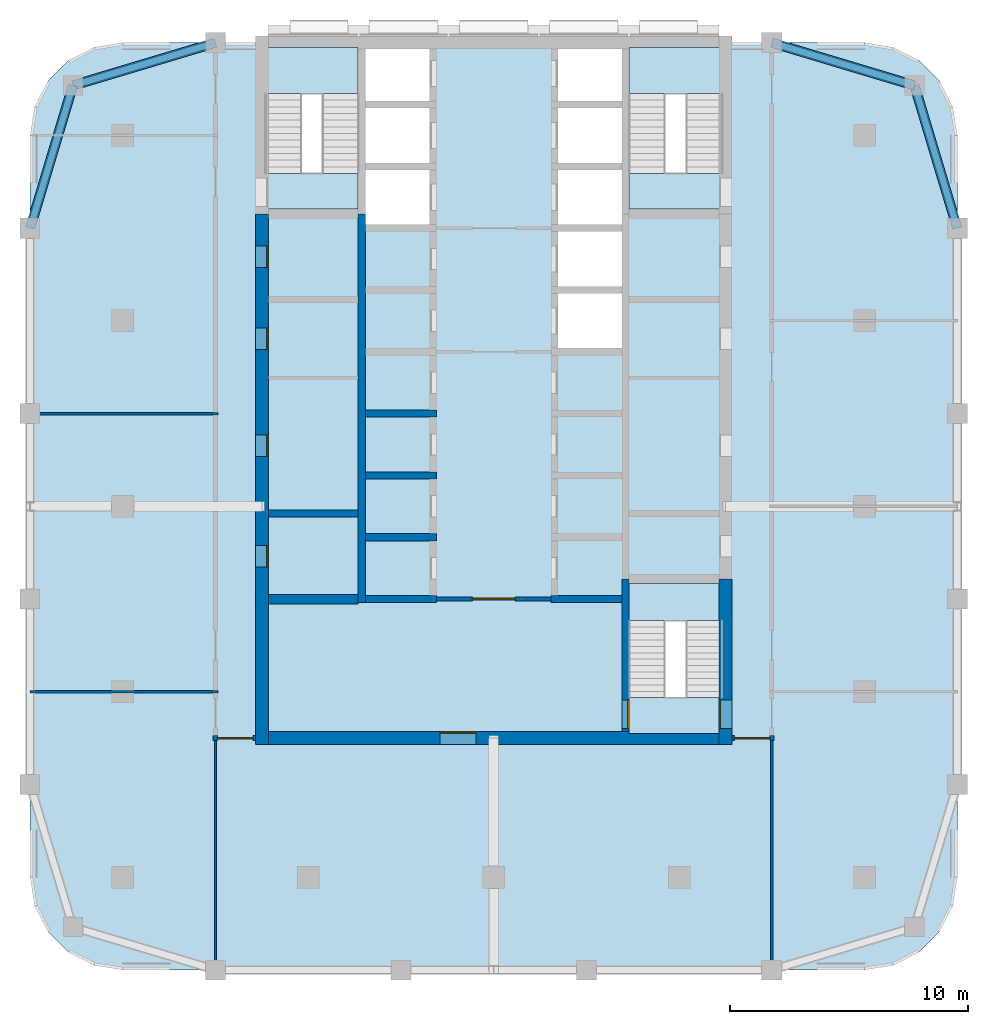
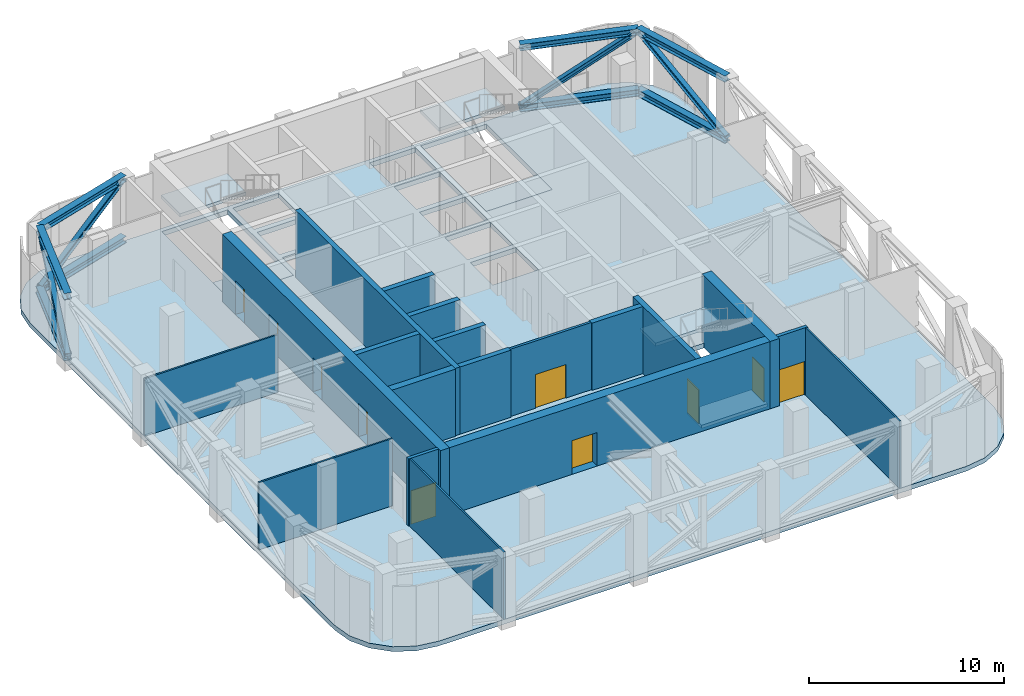
# One storey, part 4 of 11: 19 walls, 12 members, 10 doors, 7 slabs, 10 openings, 3 elements without a shape of their own.
"""IFC4 building model written with IfcOpenShell, lengths in metres."""

from ifc_helpers import new_model, si_unit, direction, frame, frame_2d, origin, origin_2d, place, context, subcontext, project, spatial, polyline, rectangle, i_section, outline, extrude, material, layer, layer_set, material_profile, profile_set, type_object, element, fill, aggregate, save


model = new_model("IFC4")

# Units and contexts
model_context = context("Model", 3, precision=1e-05, world=origin(), true_north=direction((0.0, 1.0)))
body_context = subcontext(model_context, "Body", "Model", "MODEL_VIEW")
ifc_project = project(units=[si_unit("LENGTHUNIT", "METRE"), si_unit("AREAUNIT", "SQUARE_METRE"), si_unit("VOLUMEUNIT", "CUBIC_METRE"), si_unit("PLANEANGLEUNIT", "RADIAN"), si_unit("MASSUNIT", "GRAM", prefix="KILO")], contexts=[model_context])

# Site, building, storey
site_placement = place(None, origin())
site = spatial("IfcSite", under=ifc_project, at=site_placement, CompositionType="ELEMENT")
building_placement = place(site_placement, origin())
building = spatial("IfcBuilding", under=site, at=building_placement, Name="Ludao Terraces", CompositionType="ELEMENT")
storey_placement = place(building_placement, frame((0.0, 0.0, 144.10009765625)))
storey = spatial("IfcBuildingStorey", under=building, at=storey_placement, Name="L39", CompositionType="ELEMENT", Elevation=144.10009765625)

# Members
ifc_material_1 = material(Name="Steel Q355", Category="steel")
ifc_material_profile_1 = material_profile(ifc_material_1, i_section(OverallWidth=0.39990234375, OverallDepth=0.39990234375, WebThickness=0.012939453125, FlangeThickness=0.02099609375, at=origin_2d()), Name="HW 400X400X13X21")
ifc_profile_set_1 = profile_set([ifc_material_profile_1], Name="Steel Q355")
member_type_1 = type_object("IfcMemberType", Name="Belt truss chord HW 400x400x13x21 Q355", PredefinedType="CHORD", material=ifc_profile_set_1)
for number, where, z_axis, x_axis, name in (
    (1, (67.300048828125, 82.699951171875, 4.0), (0.957824139839, 0.287355036744, 0.0), (-0.287355036744, 0.957824139839, 0.0), "Truss chord L39 BT6T1"),
    (2, (67.300048828125, 82.699951171875, 0.199951171875), (0.957824139839, 0.287355036744, 0.0), (-0.287355036744, 0.957824139839, 0.0), "Truss chord L39 BT6B1"),
    (3, (96.699951171875, 84.5, 4.0), (0.957824139839, -0.287355036744, 0.0), (0.287355036744, 0.957824139839, 0.0), "Truss chord L39 BT7T1"),
    (4, (96.699951171875, 84.5, 0.199951171875), (0.957824139839, -0.287355036744, 0.0), (0.287355036744, 0.957824139839, 0.0), "Truss chord L39 BT7B1"),
    (5, (65.5, 76.699951171875, 4.0), (0.287355036744, 0.957824139839, 0.0), (-0.957824139839, 0.287355036744, 0.0), "Truss chord L39 BT12T1"),
    (6, (65.5, 76.699951171875, 0.199951171875), (0.287355036744, 0.957824139839, 0.0), (-0.957824139839, 0.287355036744, 0.0), "Truss chord L39 BT12B1"),
    (7, (104.5, 76.699951171875, 4.0), (-0.287355036744, 0.957824139839, 0.0), (-0.957824139839, -0.287355036744, 0.0), "Truss chord L39 BT17T1"),
    (8, (104.5, 76.699951171875, 0.199951171875), (-0.287355036744, 0.957824139839, 0.0), (-0.957824139839, -0.287355036744, 0.0), "Truss chord L39 BT17B1"),
):
    element("IfcMember", number, at=place(storey_placement, frame(where, z_axis=z_axis, x_axis=x_axis)), inside=storey, type_object=member_type_1, Name=name, PredefinedType="CHORD", context=body_context, shape_type="SweptSolid", body=[
        extrude(i_section(OverallWidth=0.39990234375, OverallDepth=0.39990234375, WebThickness=0.012939453125, FlangeThickness=0.02099609375, at=origin_2d()), origin(), (0.0, 0.0, 1.0), 6.26416015625),
    ])
ifc_material_profile_2 = material_profile(ifc_material_1, i_section(OverallWidth=0.300048828125, OverallDepth=0.300048828125, WebThickness=0.010009765625, FlangeThickness=0.014892578125, at=origin_2d()), Name="HW 300X300X10X15")
ifc_profile_set_2 = profile_set([ifc_material_profile_2], Name="Steel Q355")
member_type_2 = type_object("IfcMemberType", Name="Belt truss diagonal HW 300x300x10x15 Q355", PredefinedType="BRACE", material=ifc_profile_set_2)
for number, where, z_axis, x_axis, name in (
    (9, (67.300048828125, 82.699951171875, 0.199951171875), (0.818922464161, 0.245683403656, 0.518657558376), (-0.287355036744, 0.957824139839, 0.0), "Truss diagonal L39 BT61"),
    (10, (96.699951171875, 84.5, 0.199951171875), (0.818922464161, -0.245683403656, 0.518657558376), (0.287355036744, 0.957824139839, 0.0), "Truss diagonal L39 BT71"),
    (11, (65.5, 76.699951171875, 0.199951171875), (0.245683403656, 0.818922464161, 0.518657558376), (-0.957824139839, 0.287355036744, 0.0), "Truss diagonal L39 BT121"),
    (12, (104.5, 76.699951171875, 0.199951171875), (-0.245683403656, 0.818922464161, 0.518657558376), (-0.957824139839, -0.287355036744, 0.0), "Truss diagonal L39 BT171"),
):
    element("IfcMember", number, at=place(storey_placement, frame(where, z_axis=z_axis, x_axis=x_axis)), inside=storey, type_object=member_type_2, Name=name, PredefinedType="BRACE", context=body_context, shape_type="SweptSolid", body=[
        extrude(i_section(OverallWidth=0.300048828125, OverallDepth=0.300048828125, WebThickness=0.010009765625, FlangeThickness=0.014892578125, at=origin_2d()), origin(), (0.0, 0.0, 1.0), 7.32666015625),
    ])

# Slab
ifc_material_2 = material(Name="Concrete C40", Category="concrete")
ifc_layer_1 = layer(ifc_material_2, 0.300048828125)
ifc_layer_set_1 = layer_set([ifc_layer_1], Name="Floor slab 300 C40")
slab_type_1 = type_object("IfcSlabType", Name="Floor slab 300 C40", PredefinedType="FLOOR", material=ifc_layer_set_1)
slab_1_placement = place(storey_placement, frame((0.0, 0.0, -0.300048828125)))
element("IfcSlab", 13, at=slab_1_placement, inside=storey, type_object=slab_type_1, Name="Slab L39", PredefinedType="FLOOR", context=body_context, shape_type="SweptSolid", body=[
    extrude(outline(polyline([(100.60009765625, 45.5), (101.80517578125, 45.69091796875), (102.892333984375, 46.244873046875), (103.755126953125, 47.107666015625), (104.30908203125, 48.19482421875), (104.5, 49.39990234375), (104.5, 80.60009765625), (104.30908203125, 81.80517578125), (103.755126953125, 82.892333984375), (102.892333984375, 83.755126953125), (101.80517578125, 84.30908203125), (100.60009765625, 84.5), (69.39990234375, 84.5), (68.19482421875, 84.30908203125), (67.107666015625, 83.755126953125), (66.244873046875, 82.892333984375), (65.69091796875, 81.80517578125), (65.5, 80.60009765625), (65.5, 49.39990234375), (65.69091796875, 48.19482421875), (66.244873046875, 47.107666015625), (67.107666015625, 46.244873046875), (68.19482421875, 45.69091796875), (69.39990234375, 45.5), (100.60009765625, 45.5)]), holes=[polyline([(79.60009765625, 76.85009765625), (82.300048828125, 76.85009765625), (82.300048828125, 79.14990234375), (79.60009765625, 79.14990234375), (79.60009765625, 76.85009765625)]), polyline([(79.60009765625, 79.449951171875), (82.300048828125, 79.449951171875), (82.300048828125, 81.75), (79.60009765625, 81.75), (79.60009765625, 79.449951171875)]), polyline([(79.60009765625, 82.050048828125), (82.300048828125, 82.050048828125), (82.300048828125, 84.239990234375), (79.60009765625, 84.239990234375), (79.60009765625, 82.050048828125)]), polyline([(87.699951171875, 71.64990234375), (90.39990234375, 71.64990234375), (90.39990234375, 73.949951171875), (87.699951171875, 73.949951171875), (87.699951171875, 71.64990234375)]), polyline([(87.699951171875, 74.25), (90.39990234375, 74.25), (90.39990234375, 76.550048828125), (87.699951171875, 76.550048828125), (87.699951171875, 74.25)]), polyline([(87.699951171875, 76.85009765625), (90.39990234375, 76.85009765625), (90.39990234375, 79.14990234375), (87.699951171875, 79.14990234375), (87.699951171875, 76.85009765625)]), polyline([(87.699951171875, 79.449951171875), (90.39990234375, 79.449951171875), (90.39990234375, 81.75), (87.699951171875, 81.75), (87.699951171875, 79.449951171875)]), polyline([(87.699951171875, 82.050048828125), (90.39990234375, 82.050048828125), (90.39990234375, 84.239990234375), (87.699951171875, 84.239990234375), (87.699951171875, 82.050048828125)]), polyline([(75.39990234375, 77.5), (79.300048828125, 77.5), (79.300048828125, 84.239990234375), (75.39990234375, 84.239990234375), (75.39990234375, 77.5)]), polyline([(90.699951171875, 77.5), (94.60009765625, 77.5), (94.60009765625, 84.239990234375), (90.699951171875, 84.239990234375), (90.699951171875, 77.5)]), polyline([(90.699951171875, 55.449951171875), (94.60009765625, 55.449951171875), (94.60009765625, 61.75), (90.699951171875, 61.75), (90.699951171875, 55.449951171875)])]), origin(), (0.0, 0.0, 1.0), 0.300048828125),
])

# Stair, slabs
stair_type = type_object("IfcStairType", Name="INT Stair", PredefinedType="HALF_TURN_STAIR", material=ifc_material_2)
stair_1_placement = place(storey_placement, origin())
stair_1 = element("IfcStair", 14, at=stair_1_placement, inside=storey, type_object=stair_type, Name="EXIT STAIR 1", PredefinedType="HALF_TURN_STAIR")
ifc_layer_2 = layer(ifc_material_2, 0.199951171875)
ifc_layer_set_2 = layer_set([ifc_layer_2], Name="INT Stair landing 200")
slab_type_2 = type_object("IfcSlabType", Name="INT Stair landing 200", PredefinedType="LANDING", material=ifc_layer_set_2)
slab_2_placement = place(storey_placement, frame((0.0, 0.0, 2.0498046875)))
slab_2 = element("IfcSlab", 15, at=slab_2_placement, type_object=slab_type_2, Name="ST1 landing 1", PredefinedType="LANDING", context=body_context, shape_type="SweptSolid", body=[
    extrude(outline(polyline([(75.39990234375, 82.360107421875), (79.300048828125, 82.360107421875), (79.300048828125, 84.300048828125), (75.39990234375, 84.300048828125), (75.39990234375, 82.360107421875)])), origin(), (0.0, 0.0, 1.0), 0.2001953125),
])
slab_3_placement = place(storey_placement, frame((0.0, 0.0, -0.2001953125)))
slab_3 = element("IfcSlab", 16, at=slab_3_placement, type_object=slab_type_2, Name="ST1 landing 2", PredefinedType="LANDING", context=body_context, shape_type="SweptSolid", body=[
    extrude(outline(polyline([(75.39990234375, 77.5), (79.300048828125, 77.5), (79.300048828125, 79.0), (75.39990234375, 79.0), (75.39990234375, 77.5)])), origin(), (0.0, 0.0, 1.0), 0.2001953125),
])
aggregate(stair_1, [slab_2, slab_3])

stair_2_placement = place(storey_placement, origin())
stair_2 = element("IfcStair", 17, at=stair_2_placement, inside=storey, type_object=stair_type, Name="EXIT STAIR 2", PredefinedType="HALF_TURN_STAIR")
slab_4_placement = place(storey_placement, frame((0.0, 0.0, 2.0498046875)))
slab_4 = element("IfcSlab", 18, at=slab_4_placement, type_object=slab_type_2, Name="ST2 landing 1", PredefinedType="LANDING", context=body_context, shape_type="SweptSolid", body=[
    extrude(outline(polyline([(90.699951171875, 82.360107421875), (94.60009765625, 82.360107421875), (94.60009765625, 84.300048828125), (90.699951171875, 84.300048828125), (90.699951171875, 82.360107421875)])), origin(), (0.0, 0.0, 1.0), 0.2001953125),
])
slab_5_placement = place(storey_placement, frame((0.0, 0.0, -0.2001953125)))
slab_5 = element("IfcSlab", 19, at=slab_5_placement, type_object=slab_type_2, Name="ST2 landing 2", PredefinedType="LANDING", context=body_context, shape_type="SweptSolid", body=[
    extrude(outline(polyline([(90.699951171875, 77.5), (94.60009765625, 77.5), (94.60009765625, 79.0), (90.699951171875, 79.0), (90.699951171875, 77.5)])), origin(), (0.0, 0.0, 1.0), 0.2001953125),
])
aggregate(stair_2, [slab_4, slab_5])

stair_3_placement = place(storey_placement, origin())
stair_3 = element("IfcStair", 20, at=stair_3_placement, inside=storey, type_object=stair_type, Name="EXIT STAIR 3", PredefinedType="HALF_TURN_STAIR")
slab_6_placement = place(storey_placement, frame((0.0, 0.0, 2.0498046875)))
slab_6 = element("IfcSlab", 21, at=slab_6_placement, type_object=slab_type_2, Name="ST3 landing 1", PredefinedType="LANDING", context=body_context, shape_type="SweptSolid", body=[
    extrude(outline(polyline([(90.699951171875, 60.18994140625), (94.60009765625, 60.18994140625), (94.60009765625, 61.75), (90.699951171875, 61.75), (90.699951171875, 60.18994140625)])), origin(), (0.0, 0.0, 1.0), 0.2001953125),
])
slab_7_placement = place(storey_placement, frame((0.0, 0.0, -0.2001953125)))
slab_7 = element("IfcSlab", 22, at=slab_7_placement, type_object=slab_type_2, Name="ST3 landing 2", PredefinedType="LANDING", context=body_context, shape_type="SweptSolid", body=[
    extrude(outline(polyline([(90.699951171875, 55.449951171875), (94.60009765625, 55.449951171875), (94.60009765625, 56.949951171875), (90.699951171875, 56.949951171875), (90.699951171875, 55.449951171875)])), origin(), (0.0, 0.0, 1.0), 0.2001953125),
])
aggregate(stair_3, [slab_6, slab_7])

# Wall, openings, doors
ifc_material_3 = material(Name="Concrete C60", Category="concrete")
ifc_layer_3 = layer(ifc_material_3, 0.550048828125)
ifc_layer_set_3 = layer_set([ifc_layer_3], Name="Core wall 550 C60")
wall_type_1 = type_object("IfcWallType", Name="Core wall 550 C60", PredefinedType="SOLIDWALL", material=ifc_layer_set_3)
wall_1_placement = place(storey_placement, frame((75.25, 54.97509765625, -0.300048828125), z_axis=(0.0, 0.0, 1.0), x_axis=(0.0, 1.0, 0.0)))
wall_1 = element("IfcWall", 23, at=wall_1_placement, inside=storey, type_object=wall_type_1, Name="Core wall L39 outer-W", PredefinedType="SOLIDWALL", context=body_context, shape_type="SweptSolid", body=[
    extrude(rectangle(XDim=22.324951171875, YDim=0.550048828125, at=frame_2d((11.16259765625, 0.0))), origin(), (0.0, 0.0, 1.0), 4.5),
])
opening_1_placement = place(wall_1_placement, frame((7.47509765625, 0.0, 0.300048828125)))
opening_1 = element("IfcOpeningElement", 24, at=opening_1_placement, cuts=wall_1, Name="Opening L39-013", PredefinedType="OPENING", context=body_context, shape_type="SweptSolid", body=[
    extrude(rectangle(XDim=0.89990234375, YDim=2.10009765625, at=frame_2d((0.449951171875, 1.050048828125))), frame((0.0, 0.28515625, 0.0), z_axis=(0.0, -1.0, 0.0), x_axis=(1.0, 0.0, 0.0)), (0.0, 0.0, 1.0), 0.570068359375),
])
opening_2_placement = place(wall_1_placement, frame((12.125, 0.0, 0.300048828125)))
opening_2 = element("IfcOpeningElement", 25, at=opening_2_placement, cuts=wall_1, Name="Opening L39-017", PredefinedType="OPENING", context=body_context, shape_type="SweptSolid", body=[
    extrude(rectangle(XDim=0.89990234375, YDim=2.10009765625, at=frame_2d((0.449951171875, 1.050048828125))), frame((0.0, 0.28515625, 0.0), z_axis=(0.0, -1.0, 0.0), x_axis=(1.0, 0.0, 0.0)), (0.0, 0.0, 1.0), 0.570068359375),
])
opening_3_placement = place(wall_1_placement, frame((16.625, 0.0, 0.300048828125)))
opening_3 = element("IfcOpeningElement", 26, at=opening_3_placement, cuts=wall_1, Name="Opening L39-025", PredefinedType="OPENING", context=body_context, shape_type="SweptSolid", body=[
    extrude(rectangle(XDim=0.89990234375, YDim=2.10009765625, at=frame_2d((0.449951171875, 1.050048828125))), frame((0.0, 0.28515625, 0.0), z_axis=(0.0, -1.0, 0.0), x_axis=(1.0, 0.0, 0.0)), (0.0, 0.0, 1.0), 0.570068359375),
])
opening_4_placement = place(wall_1_placement, frame((20.074951171875, 0.0, 0.300048828125)))
opening_4 = element("IfcOpeningElement", 27, at=opening_4_placement, cuts=wall_1, Name="Opening L39-031", PredefinedType="OPENING", context=body_context, shape_type="SweptSolid", body=[
    extrude(rectangle(XDim=0.89990234375, YDim=2.10009765625, at=frame_2d((0.449951171875, 1.050048828125))), frame((0.0, 0.28515625, 0.0), z_axis=(0.0, -1.0, 0.0), x_axis=(1.0, 0.0, 0.0)), (0.0, 0.0, 1.0), 0.570068359375),
])
ifc_material_4 = material(Name="Steel Q235", Category="steel")
door_type_1 = type_object("IfcDoorType", Name="INT Riser door 900", OperationType="SINGLE_SWING_LEFT", PredefinedType="DOOR", material=ifc_material_4)
door_1_placement = place(opening_1_placement, origin())
door_1 = element("IfcDoor", 28, at=door_1_placement, inside=storey, type_object=door_type_1, Name="DOOR 013", OperationType="SINGLE_SWING_RIGHT", OverallHeight=2.10009765625, OverallWidth=0.89990234375, PredefinedType="DOOR", context=body_context, shape_type="SweptSolid", body=[
    extrude(rectangle(XDim=0.89990234375, YDim=2.10009765625, at=frame_2d((0.449951171875, 1.050048828125))), frame((0.0, -0.2099609375, 0.0), z_axis=(0.0, -1.0, 0.0), x_axis=(1.0, 0.0, 0.0)), (0.0, 0.0, 1.0), 0.050048828125),
])
fill(opening_1, door_1)
door_2_placement = place(opening_4_placement, origin())
door_2 = element("IfcDoor", 29, at=door_2_placement, inside=storey, type_object=door_type_1, Name="DOOR 031", OperationType="SINGLE_SWING_LEFT", OverallHeight=2.10009765625, OverallWidth=0.89990234375, PredefinedType="DOOR", context=body_context, shape_type="SweptSolid", body=[
    extrude(rectangle(XDim=0.89990234375, YDim=2.10009765625, at=frame_2d((0.449951171875, 1.050048828125))), frame((0.0, -0.2099609375, 0.0), z_axis=(0.0, -1.0, 0.0), x_axis=(1.0, 0.0, 0.0)), (0.0, 0.0, 1.0), 0.050048828125),
])
fill(opening_4, door_2)
ifc_material_5 = material(Name="Timber door leaf", Category="wood")
door_type_2 = type_object("IfcDoorType", Name="INT Room door 900", OperationType="SINGLE_SWING_LEFT", PredefinedType="DOOR", material=ifc_material_5)
door_3_placement = place(opening_2_placement, origin())
door_3 = element("IfcDoor", 30, at=door_3_placement, inside=storey, type_object=door_type_2, Name="DOOR 017", OperationType="SINGLE_SWING_RIGHT", OverallHeight=2.10009765625, OverallWidth=0.89990234375, PredefinedType="DOOR", context=body_context, shape_type="SweptSolid", body=[
    extrude(rectangle(XDim=0.89990234375, YDim=2.10009765625, at=frame_2d((0.449951171875, 1.050048828125))), frame((0.0, -0.2099609375, 0.0), z_axis=(0.0, -1.0, 0.0), x_axis=(1.0, 0.0, 0.0)), (0.0, 0.0, 1.0), 0.050048828125),
])
fill(opening_2, door_3)
door_4_placement = place(opening_3_placement, origin())
door_4 = element("IfcDoor", 31, at=door_4_placement, inside=storey, type_object=door_type_2, Name="DOOR 025", OperationType="SINGLE_SWING_LEFT", OverallHeight=2.10009765625, OverallWidth=0.89990234375, PredefinedType="DOOR", context=body_context, shape_type="SweptSolid", body=[
    extrude(rectangle(XDim=0.89990234375, YDim=2.10009765625, at=frame_2d((0.449951171875, 1.050048828125))), frame((0.0, -0.2099609375, 0.0), z_axis=(0.0, -1.0, 0.0), x_axis=(1.0, 0.0, 0.0)), (0.0, 0.0, 1.0), 0.050048828125),
])
fill(opening_3, door_4)

# Wall, opening, door
wall_2_placement = place(storey_placement, frame((94.75, 54.97509765625, -0.300048828125), z_axis=(0.0, 0.0, 1.0), x_axis=(0.0, 1.0, 0.0)))
wall_2 = element("IfcWall", 32, at=wall_2_placement, inside=storey, type_object=wall_type_1, Name="Core wall L39 outer-E-S3", PredefinedType="SOLIDWALL", context=body_context, shape_type="SweptSolid", body=[
    extrude(rectangle(XDim=6.974853515625, YDim=0.550048828125, at=frame_2d((3.4873046875, 0.0))), origin(), (0.0, 0.0, 1.0), 4.5),
])
opening_5_placement = place(wall_2_placement, frame((0.675048828125, 0.0, 0.300048828125)))
opening_5 = element("IfcOpeningElement", 33, at=opening_5_placement, cuts=wall_2, Name="Opening L39-005", PredefinedType="OPENING", context=body_context, shape_type="SweptSolid", body=[
    extrude(rectangle(XDim=1.199951171875, YDim=2.10009765625, at=frame_2d((0.60009765625, 1.050048828125))), frame((0.0, 0.28515625, 0.0), z_axis=(0.0, -1.0, 0.0), x_axis=(1.0, 0.0, 0.0)), (0.0, 0.0, 1.0), 0.570068359375),
])
door_type_3 = type_object("IfcDoorType", Name="INT Stair door 1200", OperationType="DOUBLE_DOOR_SINGLE_SWING", PredefinedType="DOOR", material=ifc_material_4)
door_5_placement = place(opening_5_placement, origin())
door_5 = element("IfcDoor", 34, at=door_5_placement, inside=storey, type_object=door_type_3, Name="DOOR 005", OperationType="DOUBLE_DOOR_SINGLE_SWING", OverallHeight=2.10009765625, OverallWidth=1.199951171875, PredefinedType="DOOR", context=body_context, shape_type="SweptSolid", body=[
    extrude(rectangle(XDim=1.199951171875, YDim=2.10009765625, at=frame_2d((0.60009765625, 1.050048828125))), frame((0.0, 0.26025390625, 0.0), z_axis=(0.0, -1.0, 0.0), x_axis=(1.0, 0.0, 0.0)), (0.0, 0.0, 1.0), 0.050048828125),
])
fill(opening_5, door_5)

wall_3_placement = place(storey_placement, frame((75.52490234375, 55.25, -0.300048828125), z_axis=(0.0, 0.0, 1.0), x_axis=(1.0, 0.0, 0.0)))
wall_3 = element("IfcWall", 35, at=wall_3_placement, inside=storey, type_object=wall_type_1, Name="Core wall L39 outer-S", PredefinedType="SOLIDWALL", context=body_context, shape_type="SweptSolid", body=[
    extrude(rectangle(XDim=18.9501953125, YDim=0.550048828125, at=frame_2d((9.47509765625, 0.0))), origin(), (0.0, 0.0, 1.0), 4.5),
])
opening_6_placement = place(wall_3_placement, frame((7.22509765625, 0.0, 0.300048828125)))
opening_6 = element("IfcOpeningElement", 36, at=opening_6_placement, cuts=wall_3, Name="Opening L39-002", PredefinedType="OPENING", context=body_context, shape_type="SweptSolid", body=[
    extrude(rectangle(XDim=1.5, YDim=2.10009765625, at=frame_2d((0.75, 1.050048828125))), frame((0.0, 0.28515625, 0.0), z_axis=(0.0, -1.0, 0.0), x_axis=(1.0, 0.0, 0.0)), (0.0, 0.0, 1.0), 0.570068359375),
])
door_type_4 = type_object("IfcDoorType", Name="INT Lobby door 1500", OperationType="DOUBLE_DOOR_SINGLE_SWING", PredefinedType="DOOR", material=ifc_material_4)
door_6_placement = place(opening_6_placement, origin())
door_6 = element("IfcDoor", 37, at=door_6_placement, inside=storey, type_object=door_type_4, Name="DOOR 002", OperationType="DOUBLE_DOOR_SINGLE_SWING", OverallHeight=2.10009765625, OverallWidth=1.5, PredefinedType="DOOR", context=body_context, shape_type="SweptSolid", body=[
    extrude(rectangle(XDim=1.5, YDim=2.10009765625, at=frame_2d((0.75, 1.050048828125))), frame((0.0, 0.26025390625, 0.0), z_axis=(0.0, -1.0, 0.0), x_axis=(1.0, 0.0, 0.0)), (0.0, 0.0, 1.0), 0.050048828125),
])
fill(opening_6, door_6)

ifc_material_6 = material(Name="Fire-rated gypsum plasterboard", Category="gypsum")
ifc_layer_4 = layer(ifc_material_6, 0.012451171875, Category="gypsum")
ifc_material_7 = material(Name="Mineral wool")
ifc_layer_5 = layer(ifc_material_7, 0.10009765625, Name="insulation")
ifc_layer_6 = layer(ifc_material_4, 0.02490234375, Name="stud")
ifc_layer_7 = layer(ifc_material_6, 0.012451171875, Category="gypsum")
ifc_layer_set_4 = layer_set([ifc_layer_4, ifc_layer_5, ifc_layer_6, ifc_layer_7], Name="INT Core partition 150")
wall_type_2 = type_object("IfcWallType", Name="INT Core partition 150", PredefinedType="PARTITIONING", material=ifc_layer_set_4)
wall_4_placement = place(storey_placement, frame((82.60009765625, 61.10009765625, 0.0), z_axis=(0.0, 0.0, 1.0), x_axis=(1.0, 0.0, 0.0)))
wall_4 = element("IfcWall", 38, at=wall_4_placement, inside=storey, type_object=wall_type_2, Name="PW-L39-PW004", PredefinedType="PARTITIONING", context=body_context, shape_type="SweptSolid", body=[
    extrude(rectangle(XDim=4.800048828125, YDim=0.14990234375, at=frame_2d((2.39990234375, 0.0))), origin(), (0.0, 0.0, 1.0), 4.199951171875),
])
opening_7_placement = place(wall_4_placement, frame((1.5, 0.0, 0.0)))
opening_7 = element("IfcOpeningElement", 39, at=opening_7_placement, cuts=wall_4, Name="Opening L39-010", PredefinedType="OPENING", context=body_context, shape_type="SweptSolid", body=[
    extrude(rectangle(XDim=1.800048828125, YDim=2.10009765625, at=frame_2d((0.89990234375, 1.050048828125))), frame((0.0, 0.0849609375, 0.0), z_axis=(0.0, -1.0, 0.0), x_axis=(1.0, 0.0, 0.0)), (0.0, 0.0, 1.0), 0.169921875),
])
door_type_5 = type_object("IfcDoorType", Name="INT Fire lobby door 1800", OperationType="DOUBLE_DOOR_SINGLE_SWING", PredefinedType="DOOR", material=ifc_material_4)
door_7_placement = place(opening_7_placement, origin())
door_7 = element("IfcDoor", 40, at=door_7_placement, inside=storey, type_object=door_type_5, Name="DOOR 010", OperationType="DOUBLE_DOOR_SINGLE_SWING", OverallHeight=2.10009765625, OverallWidth=1.800048828125, PredefinedType="DOOR", context=body_context, shape_type="SweptSolid", body=[
    extrude(rectangle(XDim=1.800048828125, YDim=2.10009765625, at=frame_2d((0.89990234375, 1.050048828125))), frame((0.0, 0.02490234375, 0.0), z_axis=(0.0, -1.0, 0.0), x_axis=(1.0, 0.0, 0.0)), (0.0, 0.0, 1.0), 0.050048828125),
])
fill(opening_7, door_7)

ifc_material_8 = material(Name="Autoclaved aerated concrete block B06 A3.5", Category="concrete")
ifc_layer_8 = layer(ifc_material_8, 0.199951171875)
ifc_layer_set_5 = layer_set([ifc_layer_8], Name="INT Entrance wall 200")
wall_type_3 = type_object("IfcWallType", Name="INT Entrance wall 200", PredefinedType="PARTITIONING", material=ifc_layer_set_5)
wall_5_placement = place(storey_placement, frame((73.2001953125, 55.25, 0.0), z_axis=(0.0, 0.0, 1.0), x_axis=(1.0, 0.0, 0.0)))
wall_5 = element("IfcWall", 41, at=wall_5_placement, inside=storey, type_object=wall_type_3, Name="PW-L39-PW000", PredefinedType="PARTITIONING", context=body_context, shape_type="SweptSolid", body=[
    extrude(rectangle(XDim=1.77490234375, YDim=0.199951171875, at=frame_2d((0.887451171875, 0.0))), origin(), (0.0, 0.0, 1.0), 4.199951171875),
])
opening_8_placement = place(wall_5_placement, frame((0.1748046875, 0.0, 0.0)))
opening_8 = element("IfcOpeningElement", 42, at=opening_8_placement, cuts=wall_5, Name="Opening L39-001", PredefinedType="OPENING", context=body_context, shape_type="SweptSolid", body=[
    extrude(rectangle(XDim=1.5, YDim=2.10009765625, at=frame_2d((0.75, 1.050048828125))), frame((0.0, 0.10986328125, 0.0), z_axis=(0.0, -1.0, 0.0), x_axis=(1.0, 0.0, 0.0)), (0.0, 0.0, 1.0), 0.219970703125),
])
door_8_placement = place(opening_8_placement, origin())
door_8 = element("IfcDoor", 43, at=door_8_placement, inside=storey, type_object=door_type_4, Name="DOOR 001", OperationType="DOUBLE_DOOR_SINGLE_SWING", OverallHeight=2.10009765625, OverallWidth=1.5, PredefinedType="DOOR", context=body_context, shape_type="SweptSolid", body=[
    extrude(rectangle(XDim=1.5, YDim=2.10009765625, at=frame_2d((0.75, 1.050048828125))), frame((0.0, 0.02490234375, 0.0), z_axis=(0.0, -1.0, 0.0), x_axis=(1.0, 0.0, 0.0)), (0.0, 0.0, 1.0), 0.050048828125),
])
fill(opening_8, door_8)

wall_6_placement = place(storey_placement, frame((95.025146484375, 55.25, 0.0), z_axis=(0.0, 0.0, 1.0), x_axis=(1.0, 0.0, 0.0)))
wall_6 = element("IfcWall", 44, at=wall_6_placement, inside=storey, type_object=wall_type_3, Name="PW-L39-PW001", PredefinedType="PARTITIONING", context=body_context, shape_type="SweptSolid", body=[
    extrude(rectangle(XDim=1.77490234375, YDim=0.199951171875, at=frame_2d((0.887451171875, 0.0))), origin(), (0.0, 0.0, 1.0), 4.199951171875),
])
opening_9_placement = place(wall_6_placement, frame((0.10009765625, 0.0, 0.0)))
opening_9 = element("IfcOpeningElement", 45, at=opening_9_placement, cuts=wall_6, Name="Opening L39-003", PredefinedType="OPENING", context=body_context, shape_type="SweptSolid", body=[
    extrude(rectangle(XDim=1.5, YDim=2.10009765625, at=frame_2d((0.75, 1.050048828125))), frame((0.0, 0.10986328125, 0.0), z_axis=(0.0, -1.0, 0.0), x_axis=(1.0, 0.0, 0.0)), (0.0, 0.0, 1.0), 0.219970703125),
])
door_9_placement = place(opening_9_placement, origin())
door_9 = element("IfcDoor", 46, at=door_9_placement, inside=storey, type_object=door_type_4, Name="DOOR 003", OperationType="DOUBLE_DOOR_SINGLE_SWING", OverallHeight=2.10009765625, OverallWidth=1.5, PredefinedType="DOOR", context=body_context, shape_type="SweptSolid", body=[
    extrude(rectangle(XDim=1.5, YDim=2.10009765625, at=frame_2d((0.75, 1.050048828125))), frame((0.0, 0.02490234375, 0.0), z_axis=(0.0, -1.0, 0.0), x_axis=(1.0, 0.0, 0.0)), (0.0, 0.0, 1.0), 0.050048828125),
])
fill(opening_9, door_9)

# Walls
ifc_material_9 = material(Name="Gypsum plasterboard", Category="gypsum")
ifc_layer_9 = layer(ifc_material_9, 0.012451171875, Category="gypsum")
ifc_layer_10 = layer(ifc_material_7, 0.06005859375, Name="insulation")
ifc_layer_11 = layer(ifc_material_4, 0.014892578125, Name="stud")
ifc_layer_12 = layer(ifc_material_9, 0.012451171875, Category="gypsum")
ifc_layer_set_6 = layer_set([ifc_layer_9, ifc_layer_10, ifc_layer_11, ifc_layer_12], Name="INT Partition 100")
wall_type_4 = type_object("IfcWallType", Name="INT Partition 100", PredefinedType="PARTITIONING", material=ifc_layer_set_6)
wall_7_placement = place(storey_placement, frame((65.5, 57.199951171875, 0.0), z_axis=(0.0, 0.0, 1.0), x_axis=(1.0, 0.0, 0.0)))
element("IfcWall", 47, at=wall_7_placement, inside=storey, type_object=wall_type_4, Name="PW-L39-PW002", PredefinedType="PARTITIONING", context=body_context, shape_type="SweptSolid", body=[
    extrude(rectangle(XDim=7.900146484375, YDim=0.10009765625, at=frame_2d((3.9501953125, 0.0))), origin(), (0.0, 0.0, 1.0), 4.199951171875),
])
wall_8_placement = place(storey_placement, frame((65.5, 68.89990234375, 0.0), z_axis=(0.0, 0.0, 1.0), x_axis=(1.0, 0.0, 0.0)))
element("IfcWall", 48, at=wall_8_placement, inside=storey, type_object=wall_type_4, Name="PW-L39-PW006", PredefinedType="PARTITIONING", context=body_context, shape_type="SweptSolid", body=[
    extrude(rectangle(XDim=7.900146484375, YDim=0.10009765625, at=frame_2d((3.9501953125, 0.0))), origin(), (0.0, 0.0, 1.0), 3.599853515625),
])
for number, where, z_axis, x_axis, name in (
    (49, (73.300048828125, 45.5, 0.0), (0.0, 0.0, 1.0), (0.0, 1.0, 0.0), "PW-L39-PW013"),
    (50, (96.699951171875, 45.5, 0.0), (0.0, 0.0, 1.0), (0.0, 1.0, 0.0), "PW-L39-PW015"),
):
    element("IfcWall", number, at=place(storey_placement, frame(where, z_axis=z_axis, x_axis=x_axis)), inside=storey, type_object=wall_type_4, Name=name, PredefinedType="PARTITIONING", context=body_context, shape_type="SweptSolid", body=[
        extrude(rectangle(XDim=9.650146484375, YDim=0.10009765625, at=frame_2d((4.8251953125, 0.0))), origin(), (0.0, 0.0, 1.0), 4.199951171875),
    ])
ifc_material_10 = material(Name="Concrete C55", Category="concrete")
ifc_layer_13 = layer(ifc_material_10, 0.300048828125)
ifc_layer_set_7 = layer_set([ifc_layer_13], Name="Shaft wall 300 C55")
wall_type_5 = type_object("IfcWallType", Name="Shaft wall 300 C55", PredefinedType="SOLIDWALL", material=ifc_layer_set_7)
wall_9_placement = place(storey_placement, frame((79.449951171875, 60.949951171875, -0.300048828125), z_axis=(0.0, 0.0, 1.0), x_axis=(0.0, 1.0, 0.0)))
element("IfcWall", 51, at=wall_9_placement, inside=storey, type_object=wall_type_5, Name="Core wall L39 back-W", PredefinedType="SOLIDWALL", context=body_context, shape_type="SweptSolid", body=[
    extrude(rectangle(XDim=16.35009765625, YDim=0.300048828125, at=frame_2d((8.175048828125, 0.0))), origin(), (0.0, 0.0, 1.0), 4.5),
])

# Wall, opening, door
wall_10_placement = place(storey_placement, frame((90.550048828125, 55.52490234375, -0.300048828125), z_axis=(0.0, 0.0, 1.0), x_axis=(0.0, 1.0, 0.0)))
wall_10 = element("IfcWall", 52, at=wall_10_placement, inside=storey, type_object=wall_type_5, Name="Core wall L39 back-E-S3", PredefinedType="SOLIDWALL", context=body_context, shape_type="SweptSolid", body=[
    extrude(rectangle(XDim=6.425048828125, YDim=0.300048828125, at=frame_2d((3.21240234375, 0.0))), origin(), (0.0, 0.0, 1.0), 4.5),
])
opening_10_placement = place(wall_10_placement, frame((0.125, 0.0, 0.300048828125)))
opening_10 = element("IfcOpeningElement", 53, at=opening_10_placement, cuts=wall_10, Name="Opening L39-004", PredefinedType="OPENING", context=body_context, shape_type="SweptSolid", body=[
    extrude(rectangle(XDim=1.199951171875, YDim=2.10009765625, at=frame_2d((0.60009765625, 1.050048828125))), frame((0.0, 0.16015625, 0.0), z_axis=(0.0, -1.0, 0.0), x_axis=(1.0, 0.0, 0.0)), (0.0, 0.0, 1.0), 0.320068359375),
])
door_10_placement = place(opening_10_placement, origin())
door_10 = element("IfcDoor", 54, at=door_10_placement, inside=storey, type_object=door_type_3, Name="DOOR 004", OperationType="DOUBLE_DOOR_SINGLE_SWING", OverallHeight=2.10009765625, OverallWidth=1.199951171875, PredefinedType="DOOR", context=body_context, shape_type="SweptSolid", body=[
    extrude(rectangle(XDim=1.199951171875, YDim=2.10009765625, at=frame_2d((0.60009765625, 1.050048828125))), frame((0.0, -0.0849609375, 0.0), z_axis=(0.0, -1.0, 0.0), x_axis=(1.0, 0.0, 0.0)), (0.0, 0.0, 1.0), 0.050048828125),
])
fill(opening_10, door_10)

# Walls
for number, where, z_axis, x_axis, name in (
    (55, (79.60009765625, 61.10009765625, -0.300048828125), (0.0, 0.0, 1.0), (1.0, 0.0, 0.0), "Core wall L39 div-W1"),
    (56, (79.60009765625, 63.699951171875, -0.300048828125), (0.0, 0.0, 1.0), (1.0, 0.0, 0.0), "Core wall L39 div-W2"),
    (57, (79.60009765625, 66.300048828125, -0.300048828125), (0.0, 0.0, 1.0), (1.0, 0.0, 0.0), "Core wall L39 div-W3"),
    (58, (79.60009765625, 68.89990234375, -0.300048828125), (0.0, 0.0, 1.0), (1.0, 0.0, 0.0), "Core wall L39 div-W4"),
    (59, (87.39990234375, 61.10009765625, -0.300048828125), (0.0, 0.0, 1.0), (1.0, 0.0, 0.0), "Core wall L39 div-E1"),
):
    element("IfcWall", number, at=place(storey_placement, frame(where, z_axis=z_axis, x_axis=x_axis)), inside=storey, type_object=wall_type_5, Name=name, PredefinedType="SOLIDWALL", context=body_context, shape_type="SweptSolid", body=[
        extrude(rectangle(XDim=3.0, YDim=0.300048828125, at=frame_2d((1.5, 0.0))), origin(), (0.0, 0.0, 1.0), 4.5),
    ])
wall_11_placement = place(storey_placement, frame((75.52490234375, 64.699951171875, -0.300048828125), z_axis=(0.0, 0.0, 1.0), x_axis=(1.0, 0.0, 0.0)))
element("IfcWall", 60, at=wall_11_placement, inside=storey, type_object=wall_type_5, Name="Core wall L39 riser-a-W", PredefinedType="SOLIDWALL", context=body_context, shape_type="SweptSolid", body=[
    extrude(rectangle(XDim=3.775146484375, YDim=0.300048828125, at=frame_2d((1.8876953125, 0.0))), origin(), (0.0, 0.0, 1.0), 4.5),
])
ifc_layer_14 = layer(ifc_material_10, 0.39990234375)
ifc_layer_set_8 = layer_set([ifc_layer_14], Name="Shaft wall 400 C55")
wall_type_6 = type_object("IfcWallType", Name="Shaft wall 400 C55", PredefinedType="SOLIDWALL", material=ifc_layer_set_8)
wall_12_placement = place(storey_placement, frame((75.52490234375, 61.10009765625, -0.300048828125), z_axis=(0.0, 0.0, 1.0), x_axis=(1.0, 0.0, 0.0)))
element("IfcWall", 61, at=wall_12_placement, inside=storey, type_object=wall_type_6, Name="Core wall L39 hall-W", PredefinedType="SOLIDWALL", context=body_context, shape_type="SweptSolid", body=[
    extrude(rectangle(XDim=3.775146484375, YDim=0.39990234375, at=frame_2d((1.8876953125, 0.0))), origin(), (0.0, 0.0, 1.0), 4.5),
])

save(model, "model.ifc")
